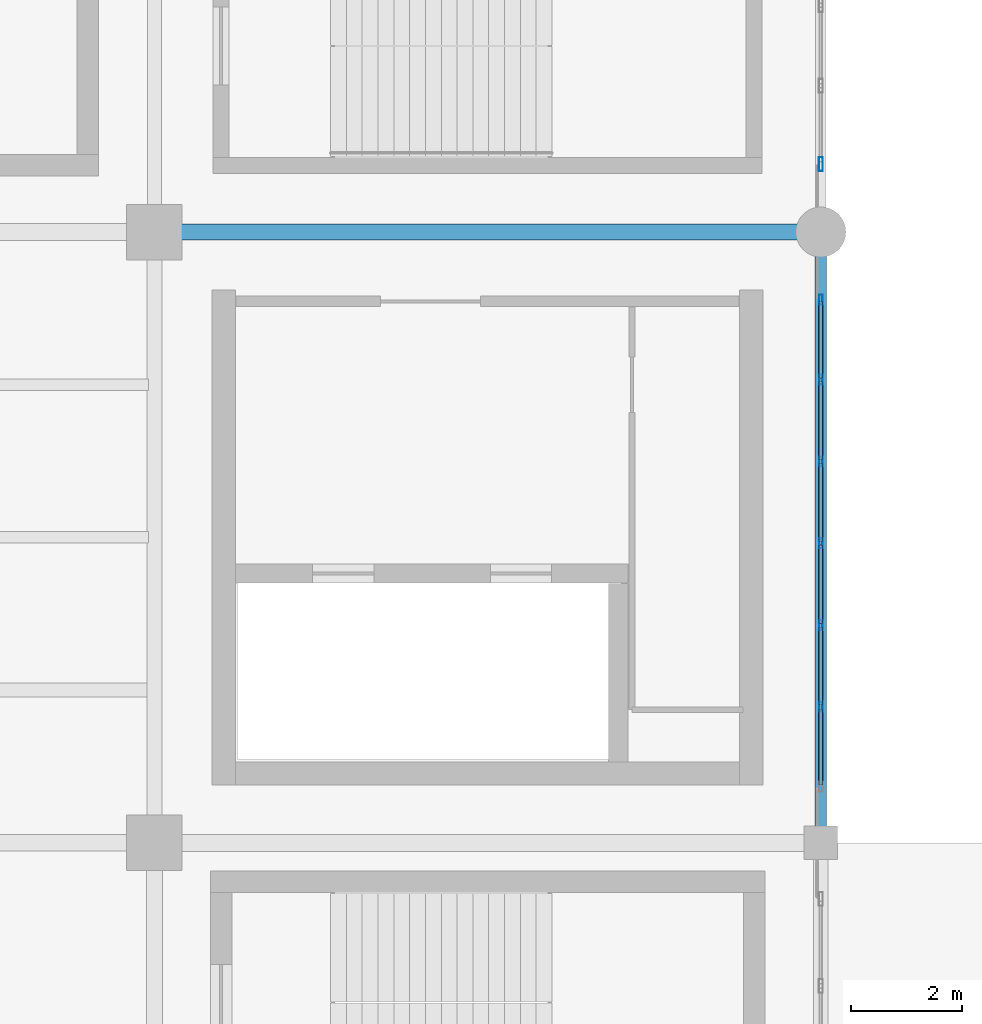
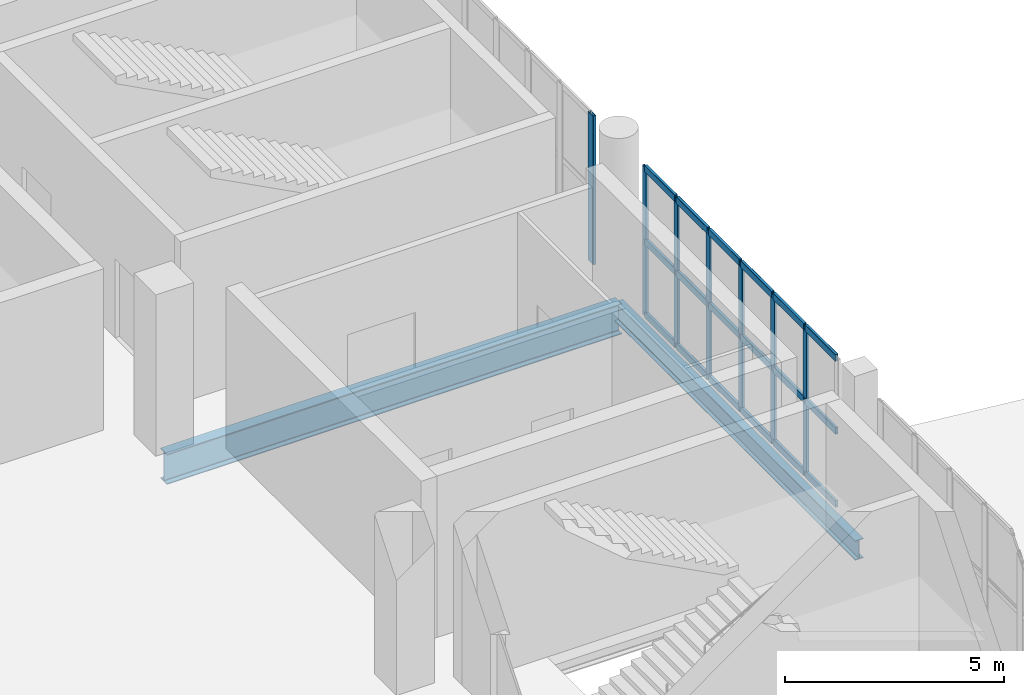
# One storey, part 59 of 108: 25 members, 2 beams, 2 elements without a shape of their own.
"""IFC4 building model written with IfcOpenShell, lengths in metres."""

from ifc_helpers import new_model, si_unit, direction, frame, origin, origin_2d, place, context, subcontext, project, spatial, hollow_rectangle, i_section, extrude, material, layer, layer_set, material_profile, profile_set, type_object, element, aggregate, save


model = new_model("IFC4")

# Units and contexts
model_context = context("Model", 3, precision=1e-05, world=origin(), true_north=direction((0.0, 1.0)))
body_context = subcontext(model_context, "Body", "Model", "MODEL_VIEW")
ifc_project = project(units=[si_unit("LENGTHUNIT", "METRE"), si_unit("AREAUNIT", "SQUARE_METRE"), si_unit("VOLUMEUNIT", "CUBIC_METRE"), si_unit("PLANEANGLEUNIT", "RADIAN"), si_unit("MASSUNIT", "GRAM", prefix="KILO")], contexts=[model_context])

# Site, building, storey
site_placement = place(None, origin())
site = spatial("IfcSite", under=ifc_project, at=site_placement, CompositionType="ELEMENT")
building_placement = place(site_placement, origin())
building = spatial("IfcBuilding", under=site, at=building_placement, Name="Brinegate Civic Arena", CompositionType="ELEMENT")
storey_placement = place(building_placement, frame((0.0, 0.0, 10.199951171875)))
storey = spatial("IfcBuildingStorey", under=building, at=storey_placement, Name="L02", CompositionType="ELEMENT", Elevation=10.199951171875)

# Curtain wall, members
ifc_material_1 = material(Name="Marine grade aluminium", Category="aluminium")
ifc_layer = layer(ifc_material_1, 0.199951171875, Name="Marine grade aluminium")
ifc_layer_set = layer_set([ifc_layer], Name="Marine grade aluminium")
curtain_wall_type = type_object("IfcCurtainWallType", Name="CW-BOWL-GLAZED-01", PredefinedType="USERDEFINED", material=ifc_layer_set)
curtain_wall_1_placement = place(storey_placement, origin())
curtain_wall_1 = element("IfcCurtainWall", 1, at=curtain_wall_1_placement, inside=storey, type_object=curtain_wall_type, Name="Curtain Wall CWA-088", ObjectType="GLAZED CURTAIN WALL", PredefinedType="USERDEFINED")
ifc_material_profile_1 = material_profile(ifc_material_1, hollow_rectangle(XDim=0.06494140625, YDim=0.179931640625, WallThickness=0.0048828125, InnerFilletRadius=0.00390625, OuterFilletRadius=0.008056640625, at=origin_2d()), Name="MUL65X180")
ifc_profile_set_1 = profile_set([ifc_material_profile_1], Name="Marine grade aluminium")
member_type_1 = type_object("IfcMemberType", Name="CW-MULLION-65X180", PredefinedType="MULLION", material=ifc_profile_set_1)
member_1_placement = place(storey_placement, frame((168.0, 84.447265625, 0.0), z_axis=(0.0, 0.0, 1.0), x_axis=(-1.0, 0.0, 0.0)))
member_1 = element("IfcMember", 2, at=member_1_placement, type_object=member_type_1, Name="CWA-088 mullion 2", PredefinedType="MULLION", context=body_context, shape_type="SweptSolid", body=[
    extrude(hollow_rectangle(XDim=0.06494140625, YDim=0.179931640625, WallThickness=0.0048828125, InnerFilletRadius=0.00390625, OuterFilletRadius=0.008056640625, at=origin_2d()), origin(), (0.0, 0.0, 1.0), 4.150146484375),
])
member_2_placement = place(storey_placement, frame((168.0, 85.920654296875, 0.0), z_axis=(0.0, 0.0, 1.0), x_axis=(-1.0, 0.0, 0.0)))
member_2 = element("IfcMember", 3, at=member_2_placement, type_object=member_type_1, Name="CWA-088 mullion 3", PredefinedType="MULLION", context=body_context, shape_type="SweptSolid", body=[
    extrude(hollow_rectangle(XDim=0.06494140625, YDim=0.179931640625, WallThickness=0.0048828125, InnerFilletRadius=0.00390625, OuterFilletRadius=0.008056640625, at=origin_2d()), origin(), (0.0, 0.0, 1.0), 4.150146484375),
])
member_3_placement = place(storey_placement, frame((168.0, 87.39404296875, 0.0), z_axis=(0.0, 0.0, 1.0), x_axis=(-1.0, 0.0, 0.0)))
member_3 = element("IfcMember", 4, at=member_3_placement, type_object=member_type_1, Name="CWA-088 mullion 4", PredefinedType="MULLION", context=body_context, shape_type="SweptSolid", body=[
    extrude(hollow_rectangle(XDim=0.06494140625, YDim=0.179931640625, WallThickness=0.0048828125, InnerFilletRadius=0.00390625, OuterFilletRadius=0.008056640625, at=origin_2d()), origin(), (0.0, 0.0, 1.0), 4.150146484375),
])
member_4_placement = place(storey_placement, frame((168.0, 88.867431640625, 0.0), z_axis=(0.0, 0.0, 1.0), x_axis=(-1.0, 0.0, 0.0)))
member_4 = element("IfcMember", 5, at=member_4_placement, type_object=member_type_1, Name="CWA-088 mullion 5", PredefinedType="MULLION", context=body_context, shape_type="SweptSolid", body=[
    extrude(hollow_rectangle(XDim=0.06494140625, YDim=0.179931640625, WallThickness=0.0048828125, InnerFilletRadius=0.00390625, OuterFilletRadius=0.008056640625, at=origin_2d()), origin(), (0.0, 0.0, 1.0), 4.150146484375),
])
member_5_placement = place(storey_placement, frame((168.0, 90.340576171875, 0.0), z_axis=(0.0, 0.0, 1.0), x_axis=(-1.0, 0.0, 0.0)))
member_5 = element("IfcMember", 6, at=member_5_placement, type_object=member_type_1, Name="CWA-088 mullion 6", PredefinedType="MULLION", context=body_context, shape_type="SweptSolid", body=[
    extrude(hollow_rectangle(XDim=0.06494140625, YDim=0.179931640625, WallThickness=0.0048828125, InnerFilletRadius=0.00390625, OuterFilletRadius=0.008056640625, at=origin_2d()), origin(), (0.0, 0.0, 1.0), 4.150146484375),
])
member_6_placement = place(storey_placement, frame((168.0, 91.781494140625, 0.0), z_axis=(0.0, 0.0, 1.0), x_axis=(-1.0, 0.0, 0.0)))
member_6 = element("IfcMember", 7, at=member_6_placement, type_object=member_type_1, Name="CWA-088 mullion 7", PredefinedType="MULLION", context=body_context, shape_type="SweptSolid", body=[
    extrude(hollow_rectangle(XDim=0.06494140625, YDim=0.179931640625, WallThickness=0.0048828125, InnerFilletRadius=0.00390625, OuterFilletRadius=0.008056640625, at=origin_2d()), origin(), (0.0, 0.0, 1.0), 4.150146484375),
])

# Curtain wall, member
curtain_wall_2_placement = place(storey_placement, origin())
curtain_wall_2 = element("IfcCurtainWall", 8, at=curtain_wall_2_placement, inside=storey, type_object=curtain_wall_type, Name="Curtain Wall CWA-090", ObjectType="GLAZED CURTAIN WALL", PredefinedType="USERDEFINED")
ifc_material_profile_2 = material_profile(ifc_material_1, hollow_rectangle(XDim=0.074951171875, YDim=0.25, WallThickness=0.006103515625, InnerFilletRadius=0.00390625, OuterFilletRadius=0.008056640625, at=origin_2d()), Name="MUL75X250")
ifc_profile_set_2 = profile_set([ifc_material_profile_2], Name="Marine grade aluminium")
member_type_2 = type_object("IfcMemberType", Name="CW-MULLION-75X250", PredefinedType="MULLION", material=ifc_profile_set_2)
member_7_placement = place(storey_placement, frame((168.0, 94.223388671875, 0.0), z_axis=(0.0, 0.0, 1.0), x_axis=(-1.0, 0.0, 0.0)))
member_7 = element("IfcMember", 9, at=member_7_placement, type_object=member_type_2, Name="CWA-090 mullion 1", PredefinedType="MULLION", context=body_context, shape_type="SweptSolid", body=[
    extrude(hollow_rectangle(XDim=0.074951171875, YDim=0.25, WallThickness=0.006103515625, InnerFilletRadius=0.00390625, OuterFilletRadius=0.008056640625, at=origin_2d()), origin(), (0.0, 0.0, 1.0), 4.150146484375),
])
aggregate(curtain_wall_2, [member_7])

# Member
ifc_material_profile_3 = material_profile(ifc_material_1, hollow_rectangle(XDim=0.074951171875, YDim=0.18994140625, WallThickness=0.006103515625, InnerFilletRadius=0.00390625, OuterFilletRadius=0.008056640625, at=origin_2d()), Name="TRN75X190")
ifc_profile_set_3 = profile_set([ifc_material_profile_3], Name="Marine grade aluminium")
member_type_3 = type_object("IfcMemberType", Name="CW-TRANSOM-75X190", PredefinedType="USERDEFINED", material=ifc_profile_set_3)
member_8_placement = place(storey_placement, frame((168.0, 83.0390625, 0.03759765625), z_axis=(0.0, 1.0, 0.0), x_axis=(-1.0, 0.0, 0.0)))
member_8 = element("IfcMember", 10, at=member_8_placement, type_object=member_type_3, Name="CWA-088 transom 1.1", ObjectType="TRANSOM", PredefinedType="USERDEFINED", context=body_context, shape_type="SweptSolid", body=[
    extrude(hollow_rectangle(XDim=0.074951171875, YDim=0.18994140625, WallThickness=0.006103515625, InnerFilletRadius=0.00390625, OuterFilletRadius=0.008056640625, at=origin_2d()), origin(), (0.0, 0.0, 1.0), 1.375732421875),
])

member_9_placement = place(storey_placement, frame((168.0, 83.0390625, 2.074951171875), z_axis=(0.0, 1.0, 0.0), x_axis=(-1.0, 0.0, 0.0)))
member_9 = element("IfcMember", 11, at=member_9_placement, type_object=member_type_3, Name="CWA-088 transom 1.2", ObjectType="TRANSOM", PredefinedType="USERDEFINED", context=body_context, shape_type="SweptSolid", body=[
    extrude(hollow_rectangle(XDim=0.074951171875, YDim=0.18994140625, WallThickness=0.006103515625, InnerFilletRadius=0.00390625, OuterFilletRadius=0.008056640625, at=origin_2d()), origin(), (0.0, 0.0, 1.0), 1.375732421875),
])

member_10_placement = place(storey_placement, frame((168.0, 83.0390625, 4.112548828125), z_axis=(0.0, 1.0, 0.0), x_axis=(-1.0, 0.0, 0.0)))
member_10 = element("IfcMember", 12, at=member_10_placement, type_object=member_type_3, Name="CWA-088 transom 1.3", ObjectType="TRANSOM", PredefinedType="USERDEFINED", context=body_context, shape_type="SweptSolid", body=[
    extrude(hollow_rectangle(XDim=0.074951171875, YDim=0.18994140625, WallThickness=0.006103515625, InnerFilletRadius=0.00390625, OuterFilletRadius=0.008056640625, at=origin_2d()), origin(), (0.0, 0.0, 1.0), 1.375732421875),
])

member_11_placement = place(storey_placement, frame((168.0, 84.479736328125, 0.03759765625), z_axis=(0.0, 1.0, 0.0), x_axis=(-1.0, 0.0, 0.0)))
member_11 = element("IfcMember", 13, at=member_11_placement, type_object=member_type_3, Name="CWA-088 transom 2.1", ObjectType="TRANSOM", PredefinedType="USERDEFINED", context=body_context, shape_type="SweptSolid", body=[
    extrude(hollow_rectangle(XDim=0.074951171875, YDim=0.18994140625, WallThickness=0.006103515625, InnerFilletRadius=0.00390625, OuterFilletRadius=0.008056640625, at=origin_2d()), origin(), (0.0, 0.0, 1.0), 1.408447265625),
])

member_12_placement = place(storey_placement, frame((168.0, 84.479736328125, 2.074951171875), z_axis=(0.0, 1.0, 0.0), x_axis=(-1.0, 0.0, 0.0)))
member_12 = element("IfcMember", 14, at=member_12_placement, type_object=member_type_3, Name="CWA-088 transom 2.2", ObjectType="TRANSOM", PredefinedType="USERDEFINED", context=body_context, shape_type="SweptSolid", body=[
    extrude(hollow_rectangle(XDim=0.074951171875, YDim=0.18994140625, WallThickness=0.006103515625, InnerFilletRadius=0.00390625, OuterFilletRadius=0.008056640625, at=origin_2d()), origin(), (0.0, 0.0, 1.0), 1.408447265625),
])

member_13_placement = place(storey_placement, frame((168.0, 84.479736328125, 4.112548828125), z_axis=(0.0, 1.0, 0.0), x_axis=(-1.0, 0.0, 0.0)))
member_13 = element("IfcMember", 15, at=member_13_placement, type_object=member_type_3, Name="CWA-088 transom 2.3", ObjectType="TRANSOM", PredefinedType="USERDEFINED", context=body_context, shape_type="SweptSolid", body=[
    extrude(hollow_rectangle(XDim=0.074951171875, YDim=0.18994140625, WallThickness=0.006103515625, InnerFilletRadius=0.00390625, OuterFilletRadius=0.008056640625, at=origin_2d()), origin(), (0.0, 0.0, 1.0), 1.408447265625),
])

member_14_placement = place(storey_placement, frame((168.0, 85.953125, 0.03759765625), z_axis=(0.0, 1.0, 0.0), x_axis=(-1.0, 0.0, 0.0)))
member_14 = element("IfcMember", 16, at=member_14_placement, type_object=member_type_3, Name="CWA-088 transom 3.1", ObjectType="TRANSOM", PredefinedType="USERDEFINED", context=body_context, shape_type="SweptSolid", body=[
    extrude(hollow_rectangle(XDim=0.074951171875, YDim=0.18994140625, WallThickness=0.006103515625, InnerFilletRadius=0.00390625, OuterFilletRadius=0.008056640625, at=origin_2d()), origin(), (0.0, 0.0, 1.0), 1.408447265625),
])

member_15_placement = place(storey_placement, frame((168.0, 85.953125, 2.074951171875), z_axis=(0.0, 1.0, 0.0), x_axis=(-1.0, 0.0, 0.0)))
member_15 = element("IfcMember", 17, at=member_15_placement, type_object=member_type_3, Name="CWA-088 transom 3.2", ObjectType="TRANSOM", PredefinedType="USERDEFINED", context=body_context, shape_type="SweptSolid", body=[
    extrude(hollow_rectangle(XDim=0.074951171875, YDim=0.18994140625, WallThickness=0.006103515625, InnerFilletRadius=0.00390625, OuterFilletRadius=0.008056640625, at=origin_2d()), origin(), (0.0, 0.0, 1.0), 1.408447265625),
])

member_16_placement = place(storey_placement, frame((168.0, 85.953125, 4.112548828125), z_axis=(0.0, 1.0, 0.0), x_axis=(-1.0, 0.0, 0.0)))
member_16 = element("IfcMember", 18, at=member_16_placement, type_object=member_type_3, Name="CWA-088 transom 3.3", ObjectType="TRANSOM", PredefinedType="USERDEFINED", context=body_context, shape_type="SweptSolid", body=[
    extrude(hollow_rectangle(XDim=0.074951171875, YDim=0.18994140625, WallThickness=0.006103515625, InnerFilletRadius=0.00390625, OuterFilletRadius=0.008056640625, at=origin_2d()), origin(), (0.0, 0.0, 1.0), 1.408447265625),
])

member_17_placement = place(storey_placement, frame((168.0, 87.426513671875, 0.03759765625), z_axis=(0.0, 1.0, 0.0), x_axis=(-1.0, 0.0, 0.0)))
member_17 = element("IfcMember", 19, at=member_17_placement, type_object=member_type_3, Name="CWA-088 transom 4.1", ObjectType="TRANSOM", PredefinedType="USERDEFINED", context=body_context, shape_type="SweptSolid", body=[
    extrude(hollow_rectangle(XDim=0.074951171875, YDim=0.18994140625, WallThickness=0.006103515625, InnerFilletRadius=0.00390625, OuterFilletRadius=0.008056640625, at=origin_2d()), origin(), (0.0, 0.0, 1.0), 1.408203125),
])

member_18_placement = place(storey_placement, frame((168.0, 87.426513671875, 2.074951171875), z_axis=(0.0, 1.0, 0.0), x_axis=(-1.0, 0.0, 0.0)))
member_18 = element("IfcMember", 20, at=member_18_placement, type_object=member_type_3, Name="CWA-088 transom 4.2", ObjectType="TRANSOM", PredefinedType="USERDEFINED", context=body_context, shape_type="SweptSolid", body=[
    extrude(hollow_rectangle(XDim=0.074951171875, YDim=0.18994140625, WallThickness=0.006103515625, InnerFilletRadius=0.00390625, OuterFilletRadius=0.008056640625, at=origin_2d()), origin(), (0.0, 0.0, 1.0), 1.408203125),
])

member_19_placement = place(storey_placement, frame((168.0, 87.426513671875, 4.112548828125), z_axis=(0.0, 1.0, 0.0), x_axis=(-1.0, 0.0, 0.0)))
member_19 = element("IfcMember", 21, at=member_19_placement, type_object=member_type_3, Name="CWA-088 transom 4.3", ObjectType="TRANSOM", PredefinedType="USERDEFINED", context=body_context, shape_type="SweptSolid", body=[
    extrude(hollow_rectangle(XDim=0.074951171875, YDim=0.18994140625, WallThickness=0.006103515625, InnerFilletRadius=0.00390625, OuterFilletRadius=0.008056640625, at=origin_2d()), origin(), (0.0, 0.0, 1.0), 1.408203125),
])

member_20_placement = place(storey_placement, frame((168.0, 88.89990234375, 0.03759765625), z_axis=(0.0, 1.0, 0.0), x_axis=(-1.0, 0.0, 0.0)))
member_20 = element("IfcMember", 22, at=member_20_placement, type_object=member_type_3, Name="CWA-088 transom 5.1", ObjectType="TRANSOM", PredefinedType="USERDEFINED", context=body_context, shape_type="SweptSolid", body=[
    extrude(hollow_rectangle(XDim=0.074951171875, YDim=0.18994140625, WallThickness=0.006103515625, InnerFilletRadius=0.00390625, OuterFilletRadius=0.008056640625, at=origin_2d()), origin(), (0.0, 0.0, 1.0), 1.408203125),
])

member_21_placement = place(storey_placement, frame((168.0, 88.89990234375, 2.074951171875), z_axis=(0.0, 1.0, 0.0), x_axis=(-1.0, 0.0, 0.0)))
member_21 = element("IfcMember", 23, at=member_21_placement, type_object=member_type_3, Name="CWA-088 transom 5.2", ObjectType="TRANSOM", PredefinedType="USERDEFINED", context=body_context, shape_type="SweptSolid", body=[
    extrude(hollow_rectangle(XDim=0.074951171875, YDim=0.18994140625, WallThickness=0.006103515625, InnerFilletRadius=0.00390625, OuterFilletRadius=0.008056640625, at=origin_2d()), origin(), (0.0, 0.0, 1.0), 1.408203125),
])

member_22_placement = place(storey_placement, frame((168.0, 88.89990234375, 4.112548828125), z_axis=(0.0, 1.0, 0.0), x_axis=(-1.0, 0.0, 0.0)))
member_22 = element("IfcMember", 24, at=member_22_placement, type_object=member_type_3, Name="CWA-088 transom 5.3", ObjectType="TRANSOM", PredefinedType="USERDEFINED", context=body_context, shape_type="SweptSolid", body=[
    extrude(hollow_rectangle(XDim=0.074951171875, YDim=0.18994140625, WallThickness=0.006103515625, InnerFilletRadius=0.00390625, OuterFilletRadius=0.008056640625, at=origin_2d()), origin(), (0.0, 0.0, 1.0), 1.408203125),
])

member_23_placement = place(storey_placement, frame((168.0, 90.373046875, 0.03759765625), z_axis=(0.0, 1.0, 0.0), x_axis=(-1.0, 0.0, 0.0)))
member_23 = element("IfcMember", 25, at=member_23_placement, type_object=member_type_3, Name="CWA-088 transom 6.1", ObjectType="TRANSOM", PredefinedType="USERDEFINED", context=body_context, shape_type="SweptSolid", body=[
    extrude(hollow_rectangle(XDim=0.074951171875, YDim=0.18994140625, WallThickness=0.006103515625, InnerFilletRadius=0.00390625, OuterFilletRadius=0.008056640625, at=origin_2d()), origin(), (0.0, 0.0, 1.0), 1.3759765625),
])

member_24_placement = place(storey_placement, frame((168.0, 90.373046875, 2.074951171875), z_axis=(0.0, 1.0, 0.0), x_axis=(-1.0, 0.0, 0.0)))
member_24 = element("IfcMember", 26, at=member_24_placement, type_object=member_type_3, Name="CWA-088 transom 6.2", ObjectType="TRANSOM", PredefinedType="USERDEFINED", context=body_context, shape_type="SweptSolid", body=[
    extrude(hollow_rectangle(XDim=0.074951171875, YDim=0.18994140625, WallThickness=0.006103515625, InnerFilletRadius=0.00390625, OuterFilletRadius=0.008056640625, at=origin_2d()), origin(), (0.0, 0.0, 1.0), 1.3759765625),
])

member_25_placement = place(storey_placement, frame((168.0, 90.373046875, 4.112548828125), z_axis=(0.0, 1.0, 0.0), x_axis=(-1.0, 0.0, 0.0)))
member_25 = element("IfcMember", 27, at=member_25_placement, type_object=member_type_3, Name="CWA-088 transom 6.3", ObjectType="TRANSOM", PredefinedType="USERDEFINED", context=body_context, shape_type="SweptSolid", body=[
    extrude(hollow_rectangle(XDim=0.074951171875, YDim=0.18994140625, WallThickness=0.006103515625, InnerFilletRadius=0.00390625, OuterFilletRadius=0.008056640625, at=origin_2d()), origin(), (0.0, 0.0, 1.0), 1.3759765625),
])

aggregate(curtain_wall_1, [member_1, member_2, member_3, member_4, member_5, member_6, member_8, member_9, member_10, member_11, member_12, member_13, member_14, member_15, member_16, member_17, member_18, member_19, member_20, member_21, member_22, member_23, member_24, member_25])

# Beams
ifc_material_2 = material(Name="Steel S355", Category="steel")
ifc_material_profile_4 = material_profile(ifc_material_2, i_section(OverallWidth=0.2939453125, OverallDepth=0.85107421875, WebThickness=0.01611328125, FlangeThickness=0.027099609375, FilletRadius=0.02197265625, at=origin_2d()), Name="W840X226")
ifc_profile_set_4 = profile_set([ifc_material_profile_4], Name="Steel S355")
beam_type_1 = type_object("IfcBeamType", Name="GIRDER-W840X226", PredefinedType="BEAM", material=ifc_profile_set_4)
beam_1_placement = place(storey_placement, frame((156.0, 93.0, -0.7548828125), z_axis=(1.0, 0.0, 0.0), x_axis=(0.0, 1.0, 0.0)))
element("IfcBeam", 28, at=beam_1_placement, inside=storey, type_object=beam_type_1, Name="Floor Girder BM-L02-GX-13-09", PredefinedType="BEAM", context=body_context, shape_type="SweptSolid", body=[
    extrude(i_section(OverallWidth=0.2939453125, OverallDepth=0.85107421875, WebThickness=0.01611328125, FlangeThickness=0.027099609375, FilletRadius=0.02197265625, at=origin_2d()), origin(), (0.0, 0.0, 1.0), 12.0),
])
ifc_material_profile_5 = material_profile(ifc_material_2, i_section(OverallWidth=0.2119140625, OverallDepth=0.5439453125, WebThickness=0.012939453125, FlangeThickness=0.02099609375, FilletRadius=0.01611328125, at=origin_2d()), Name="W530X123")
ifc_profile_set_5 = profile_set([ifc_material_profile_5], Name="Steel S355")
beam_type_2 = type_object("IfcBeamType", Name="SPANDREL-W530X123", PredefinedType="SPANDREL", material=ifc_profile_set_5)
beam_2_placement = place(storey_placement, frame((168.0, 82.0, -0.60205078125), z_axis=(0.0, 1.0, 0.0), x_axis=(-1.0, 0.0, 0.0)))
element("IfcBeam", 29, at=beam_2_placement, inside=storey, type_object=beam_type_2, Name="Floor Girder BM-L02-GY-14-08", PredefinedType="SPANDREL", context=body_context, shape_type="SweptSolid", body=[
    extrude(i_section(OverallWidth=0.2119140625, OverallDepth=0.5439453125, WebThickness=0.012939453125, FlangeThickness=0.02099609375, FilletRadius=0.01611328125, at=origin_2d()), origin(), (0.0, 0.0, 1.0), 11.0),
])

save(model, "model.ifc")
